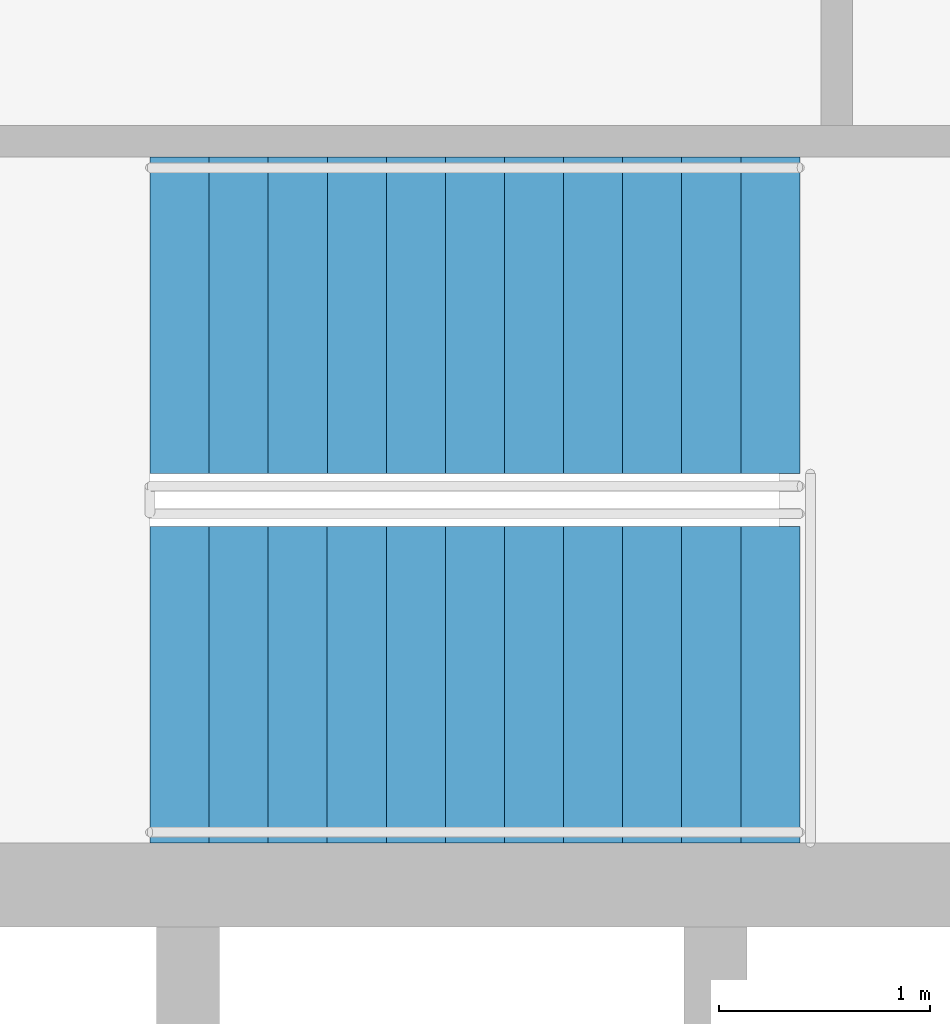
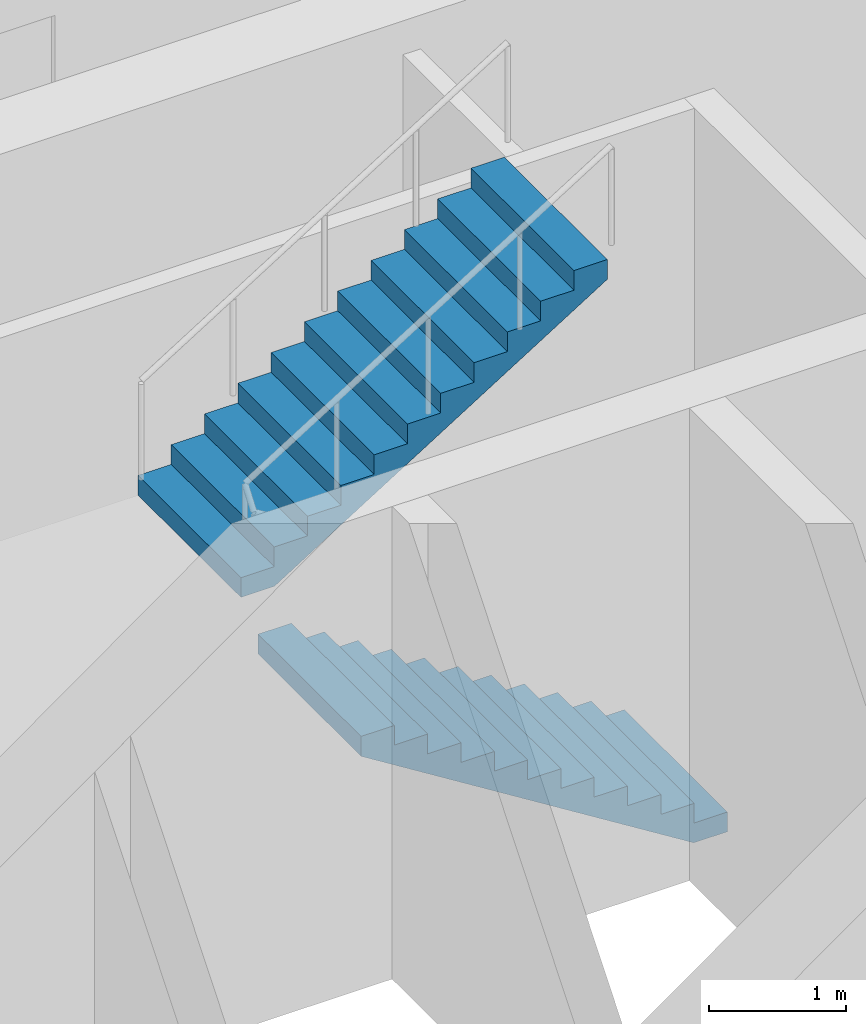
# One storey, part 8 of 11: 2 stair flights, 1 element without a shape of its own.
"""IFC4 building model written with IfcOpenShell, lengths in metres."""

from ifc_helpers import new_model, si_unit, direction, frame, origin, place, context, subcontext, project, spatial, polyline, outline, extrude, material, type_object, element, aggregate, save


model = new_model("IFC4")

# Units and contexts
model_context = context("Model", 3, precision=1e-05, world=origin(), true_north=direction((0.0, 1.0)))
body_context = subcontext(model_context, "Body", "Model", "MODEL_VIEW")
ifc_project = project(units=[si_unit("LENGTHUNIT", "METRE"), si_unit("AREAUNIT", "SQUARE_METRE"), si_unit("VOLUMEUNIT", "CUBIC_METRE"), si_unit("PLANEANGLEUNIT", "RADIAN"), si_unit("MASSUNIT", "GRAM", prefix="KILO")], contexts=[model_context])

# Site, building, storey
site_placement = place(None, origin())
site = spatial("IfcSite", under=ifc_project, at=site_placement, CompositionType="ELEMENT")
building_placement = place(site_placement, origin())
building = spatial("IfcBuilding", under=site, at=building_placement, Name="Halqa Exchange Tower", CompositionType="ELEMENT")
storey_placement = place(building_placement, frame((0.0, 0.0, 82.300048828125)))
storey = spatial("IfcBuildingStorey", under=building, at=storey_placement, Name="L18", CompositionType="ELEMENT", Elevation=82.300048828125)

# Stair, stair flights
ifc_material = material(Name="Concrete C30/37", Category="concrete")
stair_type = type_object("IfcStairType", Name="Exit stair 1500 wide", PredefinedType="HALF_TURN_STAIR", material=ifc_material)
stair_placement = place(storey_placement, origin())
stair = element("IfcStair", 1, at=stair_placement, inside=storey, type_object=stair_type, Name="Exit stair ST2", PredefinedType="HALF_TURN_STAIR")
stair_flight_type = type_object("IfcStairFlightType", Name="Stair flight 1500 wide", PredefinedType="STRAIGHT", material=ifc_material)
stair_flight_1_placement = place(storey_placement, frame((6.64990234375, 7.25, 0.0), z_axis=(0.0, 0.0, 1.0), x_axis=(-1.0, 0.0, 0.0)))
stair_flight_1 = element("IfcStairFlight", 2, at=stair_flight_1_placement, type_object=stair_flight_type, Name="ST2 flight 1", NumberOfRisers=12, NumberOfTreads=11, PredefinedType="STRAIGHT", RiserHeight=0.175, TreadLength=0.28, context=body_context, shape_type="SweptSolid", body=[
    extrude(outline(polyline([(0.0, 0.0), (0.0, 0.175048828125), (0.280029296875, 0.175048828125), (0.280029296875, 0.35009765625), (0.56005859375, 0.35009765625), (0.56005859375, 0.52490234375), (0.840087890625, 0.52490234375), (0.840087890625, 0.699951171875), (1.1201171875, 0.699951171875), (1.1201171875, 0.875), (1.39990234375, 0.875), (1.39990234375, 1.050048828125), (1.679931640625, 1.050048828125), (1.679931640625, 1.22509765625), (1.9599609375, 1.22509765625), (1.9599609375, 1.39990234375), (2.239990234375, 1.39990234375), (2.239990234375, 1.574951171875), (2.52001953125, 1.574951171875), (2.52001953125, 1.75), (2.800048828125, 1.75), (2.800048828125, 1.925048828125), (3.080078125, 1.925048828125), (3.080078125, 2.10009765625), (3.080078125, 1.748291015625), (0.28271484375, 0.0), (0.0, 0.0)])), frame((0.0, 0.75, 0.0), z_axis=(0.0, -1.0, 0.0), x_axis=(1.0, 0.0, 0.0)), (0.0, 0.0, 1.0), 1.5),
])
stair_flight_2_placement = place(storey_placement, frame((3.570068359375, 9.0, 2.099853515625), z_axis=(0.0, 0.0, 1.0), x_axis=(1.0, 0.0, 0.0)))
stair_flight_2 = element("IfcStairFlight", 3, at=stair_flight_2_placement, type_object=stair_flight_type, Name="ST2 flight 2", NumberOfRisers=12, NumberOfTreads=11, PredefinedType="STRAIGHT", RiserHeight=0.175, TreadLength=0.28, context=body_context, shape_type="SweptSolid", body=[
    extrude(outline(polyline([(0.0, 0.0), (0.0, 0.175048828125), (0.280029296875, 0.175048828125), (0.280029296875, 0.35009765625), (0.56005859375, 0.35009765625), (0.56005859375, 0.52490234375), (0.840087890625, 0.52490234375), (0.840087890625, 0.699951171875), (1.1201171875, 0.699951171875), (1.1201171875, 0.875), (1.39990234375, 0.875), (1.39990234375, 1.050048828125), (1.679931640625, 1.050048828125), (1.679931640625, 1.22509765625), (1.9599609375, 1.22509765625), (1.9599609375, 1.39990234375), (2.239990234375, 1.39990234375), (2.239990234375, 1.574951171875), (2.52001953125, 1.574951171875), (2.52001953125, 1.75), (2.800048828125, 1.75), (2.800048828125, 1.925048828125), (3.080078125, 1.925048828125), (3.080078125, 2.10009765625), (3.080078125, 1.748291015625), (0.28271484375, 0.0), (0.0, 0.0)])), frame((0.0, 0.75, 0.0), z_axis=(0.0, -1.0, 0.0), x_axis=(1.0, 0.0, 0.0)), (0.0, 0.0, 1.0), 1.5),
])
aggregate(stair, [stair_flight_1, stair_flight_2])

save(model, "model.ifc")
